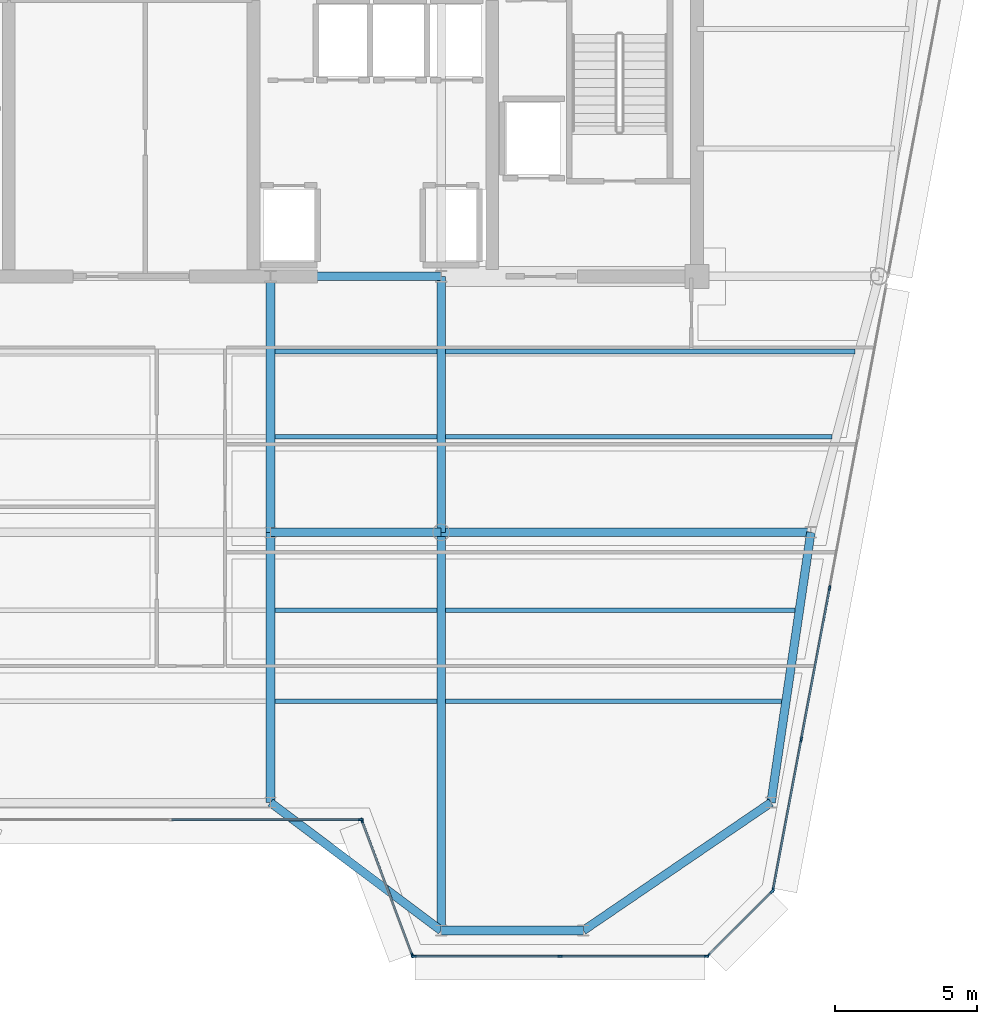
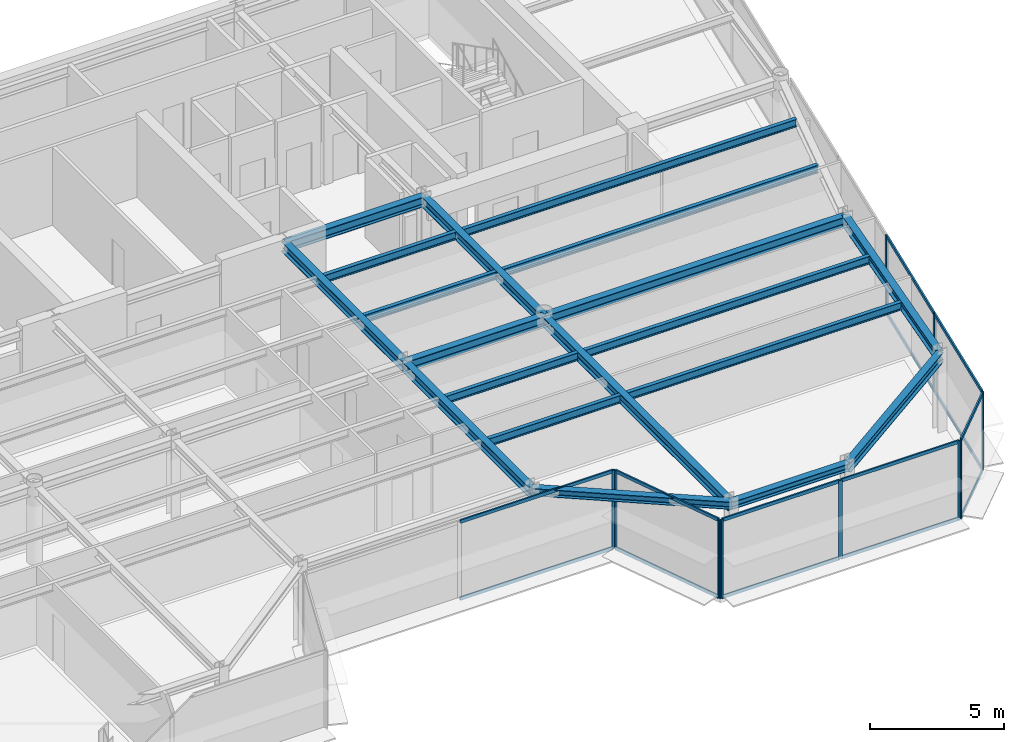
# One storey, part 6 of 20: 25 members, 19 beams, 5 elements without a shape of their own.
"""IFC4 building model written with IfcOpenShell, lengths in metres."""

from ifc_helpers import new_model, si_unit, direction, frame, origin, origin_2d, place, context, subcontext, project, spatial, rectangle, i_section, extrude, source, transform, mapped, material, layer, layer_set, material_profile, profile_set, type_object, element, aggregate, save


model = new_model("IFC4")

# Units and contexts
model_context = context("Model", 3, precision=1e-05, world=origin(), true_north=direction((0.0, 1.0)))
body_context = subcontext(model_context, "Body", "Model", "MODEL_VIEW")
ifc_project = project(units=[si_unit("LENGTHUNIT", "METRE"), si_unit("AREAUNIT", "SQUARE_METRE"), si_unit("VOLUMEUNIT", "CUBIC_METRE"), si_unit("PLANEANGLEUNIT", "RADIAN"), si_unit("MASSUNIT", "GRAM", prefix="KILO")], contexts=[model_context])

# Site, building, storey
site_placement = place(None, origin())
site = spatial("IfcSite", under=ifc_project, at=site_placement, CompositionType="ELEMENT")
building_placement = place(site_placement, origin())
building = spatial("IfcBuilding", under=site, at=building_placement, Name="Vaeldorn Concourse Tower", CompositionType="ELEMENT")
storey_placement = place(building_placement, frame((0.0, 0.0, 295.39990234375)))
storey = spatial("IfcBuildingStorey", under=building, at=storey_placement, Name="L76", CompositionType="ELEMENT", Elevation=295.39990234375)

# Beams
ifc_material_1 = material(Name="Steel S355", Category="steel")
ifc_material_profile_1 = material_profile(ifc_material_1, i_section(OverallWidth=0.300048828125, OverallDepth=0.449951171875, WebThickness=0.013916015625, FlangeThickness=0.02587890625, FilletRadius=0.027099609375, at=origin_2d()), Name="HEB 450")
ifc_profile_set_1 = profile_set([ifc_material_profile_1], Name="Steel S355")
beam_type_1 = type_object("IfcBeamType", Name="BM-PG-HEB450", PredefinedType="BEAM", material=ifc_profile_set_1)
shared_shape_1 = source(origin(), body_context, "Body", "SweptSolid", [
    extrude(i_section(OverallWidth=0.300048828125, OverallDepth=0.449951171875, WebThickness=0.013916015625, FlangeThickness=0.02587890625, FilletRadius=0.027099609375, at=origin_2d()), origin(), (0.0, 0.0, 1.0), 6.0),
])
for number, where, z_axis, x_axis, name in (
    (1, (39.0, 36.5, 3.35498046875), (1.0, 0.0, 0.0), (0.0, 1.0, 0.0), "Beam BM-L76-C-FC4-C-FC5"),
    (2, (39.0, 27.5, 3.35498046875), (1.0, 0.0, 0.0), (0.0, 1.0, 0.0), "Beam BM-L76-C-TW3-C-TW4"),
):
    element("IfcBeam", number, at=place(storey_placement, frame(where, z_axis=z_axis, x_axis=x_axis)), inside=storey, type_object=beam_type_1, Name=name, PredefinedType="BEAM", context=body_context, shape_type="MappedRepresentation", body=[
        mapped(shared_shape_1, transform((0.0, 0.0, 0.0), scale=1.0)),
    ])
ifc_material_profile_2 = material_profile(ifc_material_1, i_section(OverallWidth=0.169921875, OverallDepth=0.360107421875, WebThickness=0.008056640625, FlangeThickness=0.0126953125, FilletRadius=0.01806640625, at=origin_2d()), Name="IPE 360")
ifc_profile_set_2 = profile_set([ifc_material_profile_2], Name="Steel S355")
beam_type_2 = type_object("IfcBeamType", Name="BM-JS-IPE360", PredefinedType="JOIST", material=ifc_profile_set_2)
shared_shape_2 = source(origin(), body_context, "Body", "SweptSolid", [
    extrude(i_section(OverallWidth=0.169921875, OverallDepth=0.360107421875, WebThickness=0.008056640625, FlangeThickness=0.0126953125, FilletRadius=0.01806640625, at=origin_2d()), origin(), (0.0, 0.0, 1.0), 5.7001953125),
])
for number, where, z_axis, x_axis, name in (
    (3, (39.14990234375, 21.56005859375, 3.400146484375), (1.0, 0.0, 0.0), (0.0, 1.0, 0.0), "Beam JS-L76-E2-215"),
    (4, (39.14990234375, 24.760009765625, 3.400146484375), (1.0, 0.0, 0.0), (0.0, 1.0, 0.0), "Beam JS-L76-E2-247"),
    (5, (39.14990234375, 30.860107421875, 3.400146484375), (1.0, 0.0, 0.0), (0.0, 1.0, 0.0), "Beam JS-L76-E2-308"),
    (6, (39.14990234375, 33.860107421875, 3.400146484375), (1.0, 0.0, 0.0), (0.0, 1.0, 0.0), "Beam JS-L76-E2-338"),
):
    element("IfcBeam", number, at=place(storey_placement, frame(where, z_axis=z_axis, x_axis=x_axis)), inside=storey, type_object=beam_type_2, Name=name, PredefinedType="JOIST", context=body_context, shape_type="MappedRepresentation", body=[
        mapped(shared_shape_2, transform((0.0, 0.0, 0.0), scale=1.0)),
    ])
ifc_material_profile_3 = material_profile(ifc_material_1, i_section(OverallWidth=0.300048828125, OverallDepth=0.340087890625, WebThickness=0.011962890625, FlangeThickness=0.021484375, FilletRadius=0.027099609375, at=origin_2d()), Name="HEB 340")
ifc_profile_set_3 = profile_set([ifc_material_profile_3], Name="Steel S355")
beam_type_3 = type_object("IfcBeamType", Name="BM-SP-HEB340", PredefinedType="SPANDREL", material=ifc_profile_set_3)
shared_shape_3 = source(origin(), body_context, "Body", "SweptSolid", [
    extrude(i_section(OverallWidth=0.300048828125, OverallDepth=0.340087890625, WebThickness=0.011962890625, FlangeThickness=0.021484375, FilletRadius=0.027099609375, at=origin_2d()), origin(), (0.0, 0.0, 1.0), 5.0),
])
beam_1_placement = place(storey_placement, frame((45.0, 13.5, 3.41015625), z_axis=(1.0, 0.0, 0.0), x_axis=(0.0, 1.0, 0.0)))
element("IfcBeam", 7, at=beam_1_placement, inside=storey, type_object=beam_type_3, Name="Beam BM-L76-C-SF5-C-SF6", PredefinedType="SPANDREL", context=body_context, shape_type="MappedRepresentation", body=[
    mapped(shared_shape_3, transform((0.0, 0.0, 0.0), scale=1.0)),
])
shared_shape_4 = source(origin(), body_context, "Body", "SweptSolid", [
    extrude(i_section(OverallWidth=0.300048828125, OverallDepth=0.340087890625, WebThickness=0.011962890625, FlangeThickness=0.021484375, FilletRadius=0.027099609375, at=origin_2d()), origin(), (0.0, 0.0, 1.0), 7.5),
])
beam_2_placement = place(storey_placement, frame((39.0, 18.0, 3.41015625), z_axis=(0.8, -0.6, 0.0), x_axis=(0.6, 0.8, 0.0)))
element("IfcBeam", 8, at=beam_2_placement, inside=storey, type_object=beam_type_3, Name="Beam BM-L76-C-SF4-C-SF5", PredefinedType="SPANDREL", context=body_context, shape_type="MappedRepresentation", body=[
    mapped(shared_shape_4, transform((0.0, 0.0, 0.0), scale=1.0)),
])
shared_shape_5 = source(origin(), body_context, "Body", "SweptSolid", [
    extrude(i_section(OverallWidth=0.169921875, OverallDepth=0.360107421875, WebThickness=0.008056640625, FlangeThickness=0.0126953125, FilletRadius=0.01806640625, at=origin_2d()), origin(), (0.0, 0.0, 1.0), 11.82470703125),
])
beam_3_placement = place(storey_placement, frame((45.14990234375, 21.56005859375, 3.400146484375), z_axis=(1.0, 0.0, 0.0), x_axis=(0.0, 1.0, 0.0)))
element("IfcBeam", 9, at=beam_3_placement, inside=storey, type_object=beam_type_2, Name="Beam JS-L76-E1-215", PredefinedType="JOIST", context=body_context, shape_type="MappedRepresentation", body=[
    mapped(shared_shape_5, transform((0.0, 0.0, 0.0), scale=1.0)),
])
shared_shape_6 = source(origin(), body_context, "Body", "SweptSolid", [
    extrude(i_section(OverallWidth=0.169921875, OverallDepth=0.360107421875, WebThickness=0.008056640625, FlangeThickness=0.0126953125, FilletRadius=0.01806640625, at=origin_2d()), origin(), (0.0, 0.0, 1.0), 12.29638671875),
])
beam_4_placement = place(storey_placement, frame((45.14990234375, 24.760009765625, 3.400146484375), z_axis=(1.0, 0.0, 0.0), x_axis=(0.0, 1.0, 0.0)))
element("IfcBeam", 10, at=beam_4_placement, inside=storey, type_object=beam_type_2, Name="Beam JS-L76-E1-247", PredefinedType="JOIST", context=body_context, shape_type="MappedRepresentation", body=[
    mapped(shared_shape_6, transform((0.0, 0.0, 0.0), scale=1.0)),
])
shared_shape_7 = source(origin(), body_context, "Body", "SweptSolid", [
    extrude(i_section(OverallWidth=0.169921875, OverallDepth=0.360107421875, WebThickness=0.008056640625, FlangeThickness=0.0126953125, FilletRadius=0.01806640625, at=origin_2d()), origin(), (0.0, 0.0, 1.0), 13.59619140625),
])
beam_5_placement = place(storey_placement, frame((45.14990234375, 30.860107421875, 3.400146484375), z_axis=(1.0, 0.0, 0.0), x_axis=(0.0, 1.0, 0.0)))
element("IfcBeam", 11, at=beam_5_placement, inside=storey, type_object=beam_type_2, Name="Beam JS-L76-E1-308", PredefinedType="JOIST", context=body_context, shape_type="MappedRepresentation", body=[
    mapped(shared_shape_7, transform((0.0, 0.0, 0.0), scale=1.0)),
])
shared_shape_8 = source(origin(), body_context, "Body", "SweptSolid", [
    extrude(i_section(OverallWidth=0.169921875, OverallDepth=0.360107421875, WebThickness=0.008056640625, FlangeThickness=0.0126953125, FilletRadius=0.01806640625, at=origin_2d()), origin(), (0.0, 0.0, 1.0), 14.39599609375),
])
beam_6_placement = place(storey_placement, frame((45.14990234375, 33.860107421875, 3.400146484375), z_axis=(1.0, 0.0, 0.0), x_axis=(0.0, 1.0, 0.0)))
element("IfcBeam", 12, at=beam_6_placement, inside=storey, type_object=beam_type_2, Name="Beam JS-L76-E1-338", PredefinedType="JOIST", context=body_context, shape_type="MappedRepresentation", body=[
    mapped(shared_shape_8, transform((0.0, 0.0, 0.0), scale=1.0)),
])
shared_shape_9 = source(origin(), body_context, "Body", "SweptSolid", [
    extrude(i_section(OverallWidth=0.300048828125, OverallDepth=0.449951171875, WebThickness=0.013916015625, FlangeThickness=0.02587890625, FilletRadius=0.027099609375, at=origin_2d()), origin(), (0.0, 0.0, 1.0), 9.0),
])
for number, where, z_axis, x_axis, name in (
    (13, (39.0, 27.5, 3.35498046875), (0.0, 1.0, 0.0), (-1.0, 0.0, 0.0), "Beam BM-L76-C-TW3-C-FC4"),
    (14, (45.0, 27.5, 3.35498046875), (0.0, 1.0, 0.0), (-1.0, 0.0, 0.0), "Beam BM-L76-C-TW4-C-FC5"),
):
    element("IfcBeam", number, at=place(storey_placement, frame(where, z_axis=z_axis, x_axis=x_axis)), inside=storey, type_object=beam_type_1, Name=name, PredefinedType="BEAM", context=body_context, shape_type="MappedRepresentation", body=[
        mapped(shared_shape_9, transform((0.0, 0.0, 0.0), scale=1.0)),
    ])
shared_shape_10 = source(origin(), body_context, "Body", "SweptSolid", [
    extrude(i_section(OverallWidth=0.300048828125, OverallDepth=0.449951171875, WebThickness=0.013916015625, FlangeThickness=0.02587890625, FilletRadius=0.027099609375, at=origin_2d()), origin(), (0.0, 0.0, 1.0), 14.0),
])
beam_7_placement = place(storey_placement, frame((45.0, 13.5, 3.35498046875), z_axis=(0.0, 1.0, 0.0), x_axis=(-1.0, 0.0, 0.0)))
element("IfcBeam", 15, at=beam_7_placement, inside=storey, type_object=beam_type_1, Name="Beam BM-L76-C-SF5-C-TW4", PredefinedType="BEAM", context=body_context, shape_type="MappedRepresentation", body=[
    mapped(shared_shape_10, transform((0.0, 0.0, 0.0), scale=1.0)),
])
shared_shape_11 = source(origin(), body_context, "Body", "SweptSolid", [
    extrude(i_section(OverallWidth=0.300048828125, OverallDepth=0.449951171875, WebThickness=0.013916015625, FlangeThickness=0.02587890625, FilletRadius=0.027099609375, at=origin_2d()), origin(), (0.0, 0.0, 1.0), 13.0),
])
beam_8_placement = place(storey_placement, frame((45.0, 27.5, 3.35498046875), z_axis=(1.0, 0.0, 0.0), x_axis=(0.0, 1.0, 0.0)))
element("IfcBeam", 16, at=beam_8_placement, inside=storey, type_object=beam_type_1, Name="Beam BM-L76-C-TW4-C-FLE1", PredefinedType="BEAM", context=body_context, shape_type="MappedRepresentation", body=[
    mapped(shared_shape_11, transform((0.0, 0.0, 0.0), scale=1.0)),
])
shared_shape_12 = source(origin(), body_context, "Body", "SweptSolid", [
    extrude(i_section(OverallWidth=0.300048828125, OverallDepth=0.449951171875, WebThickness=0.013916015625, FlangeThickness=0.02587890625, FilletRadius=0.027099609375, at=origin_2d()), origin(), (0.0, 0.0, 1.0), 9.6025390625),
])
beam_9_placement = place(storey_placement, frame((58.0, 27.5, 3.35498046875), z_axis=(-0.145783835977, -0.989316467652, 0.0), x_axis=(0.989316467652, -0.145783835977, 0.0)))
element("IfcBeam", 17, at=beam_9_placement, inside=storey, type_object=beam_type_1, Name="Beam BM-L76-C-FLE1-C-FLE2", PredefinedType="BEAM", context=body_context, shape_type="MappedRepresentation", body=[
    mapped(shared_shape_12, transform((0.0, 0.0, 0.0), scale=1.0)),
])
shared_shape_13 = source(origin(), body_context, "Body", "SweptSolid", [
    extrude(i_section(OverallWidth=0.300048828125, OverallDepth=0.449951171875, WebThickness=0.013916015625, FlangeThickness=0.02587890625, FilletRadius=0.027099609375, at=origin_2d()), origin(), (0.0, 0.0, 1.0), 7.98828125),
])
beam_10_placement = place(storey_placement, frame((50.0, 13.5, 3.35498046875), z_axis=(0.826231222393, 0.56333113454, 0.0), x_axis=(-0.56333113454, 0.826231222393, 0.0)))
element("IfcBeam", 18, at=beam_10_placement, inside=storey, type_object=beam_type_1, Name="Beam BM-L76-C-SF6-C-FLE2", PredefinedType="BEAM", context=body_context, shape_type="MappedRepresentation", body=[
    mapped(shared_shape_13, transform((0.0, 0.0, 0.0), scale=1.0)),
])
shared_shape_14 = source(origin(), body_context, "Body", "SweptSolid", [
    extrude(i_section(OverallWidth=0.300048828125, OverallDepth=0.449951171875, WebThickness=0.013916015625, FlangeThickness=0.02587890625, FilletRadius=0.027099609375, at=origin_2d()), origin(), (0.0, 0.0, 1.0), 9.5),
])
beam_11_placement = place(storey_placement, frame((39.0, 18.0, 3.35498046875), z_axis=(0.0, 1.0, 0.0), x_axis=(-1.0, 0.0, 0.0)))
element("IfcBeam", 19, at=beam_11_placement, inside=storey, type_object=beam_type_1, Name="Beam BM-L76-C-SF4-C-TW3", PredefinedType="BEAM", context=body_context, shape_type="MappedRepresentation", body=[
    mapped(shared_shape_14, transform((0.0, 0.0, 0.0), scale=1.0)),
])

# Curtain wall, members
ifc_material_2 = material(Name="Anodised Bronze Aluminium", Category="aluminium")
ifc_layer = layer(ifc_material_2, 0.179931640625)
ifc_layer_set = layer_set([ifc_layer], Name="Anodised Bronze Aluminium")
curtain_wall_type = type_object("IfcCurtainWallType", Name="CW-SYS-05", PredefinedType="NOTDEFINED", material=ifc_layer_set)
curtain_wall_1_placement = place(storey_placement, origin())
curtain_wall_1 = element("IfcCurtainWall", 20, at=curtain_wall_1_placement, inside=storey, type_object=curtain_wall_type, Name="Unitised Curtain Wall CW-L76-E04-1", PredefinedType="NOTDEFINED")
ifc_material_profile_4 = material_profile(ifc_material_2, rectangle(XDim=0.06494140625, YDim=0.14990234375, at=origin_2d()), Name="CWT 65x150")
ifc_profile_set_4 = profile_set([ifc_material_profile_4], Name="Anodised Bronze Aluminium")
member_type_1 = type_object("IfcMemberType", Name="CWT-BRONZE-150", PredefinedType="USERDEFINED", material=ifc_profile_set_4)
shared_shape_15 = source(origin(), body_context, "Body", "SweptSolid", [
    extrude(rectangle(XDim=0.06494140625, YDim=0.14990234375, at=origin_2d()), origin(), (0.0, 0.0, 1.0), 4.996337890625),
])
member_1_placement = place(storey_placement, frame((42.222900390625, 17.339111328125, 0.03271484375), z_axis=(0.351134151405, -0.936325161318, 0.0), x_axis=(0.936325161318, 0.351134151405, 0.0)))
member_1 = element("IfcMember", 21, at=member_1_placement, type_object=member_type_1, Name="CW-05 transom 1.1", ObjectType="TRANSOM", PredefinedType="USERDEFINED", context=body_context, shape_type="MappedRepresentation", body=[
    mapped(shared_shape_15, transform((0.0, 0.0, 0.0), scale=1.0)),
])
member_2_placement = place(storey_placement, frame((42.222900390625, 17.339111328125, 3.547607421875), z_axis=(0.351134151405, -0.936325161318, 0.0), x_axis=(0.936325161318, 0.351134151405, 0.0)))
member_2 = element("IfcMember", 22, at=member_2_placement, type_object=member_type_1, Name="CW-05 transom 1.2", ObjectType="TRANSOM", PredefinedType="USERDEFINED", context=body_context, shape_type="MappedRepresentation", body=[
    mapped(shared_shape_15, transform((0.0, 0.0, 0.0), scale=1.0)),
])

curtain_wall_2_placement = place(storey_placement, origin())
curtain_wall_2 = element("IfcCurtainWall", 23, at=curtain_wall_2_placement, inside=storey, type_object=curtain_wall_type, Name="Unitised Curtain Wall CW-L76-E03-1", PredefinedType="NOTDEFINED")
shared_shape_16 = source(origin(), body_context, "Body", "SweptSolid", [
    extrude(rectangle(XDim=0.06494140625, YDim=0.14990234375, at=origin_2d()), origin(), (0.0, 0.0, 1.0), 6.6025390625),
])
member_3_placement = place(storey_placement, frame((35.532470703125, 17.39990234375, 0.03271484375), z_axis=(1.0, 0.0, 0.0), x_axis=(0.0, 1.0, 0.0)))
member_3 = element("IfcMember", 24, at=member_3_placement, type_object=member_type_1, Name="CW-05 transom 2.1", ObjectType="TRANSOM", PredefinedType="USERDEFINED", context=body_context, shape_type="MappedRepresentation", body=[
    mapped(shared_shape_16, transform((0.0, 0.0, 0.0), scale=1.0)),
])
member_4_placement = place(storey_placement, frame((35.532470703125, 17.39990234375, 3.547607421875), z_axis=(1.0, 0.0, 0.0), x_axis=(0.0, 1.0, 0.0)))
member_4 = element("IfcMember", 25, at=member_4_placement, type_object=member_type_1, Name="CW-05 transom 2.2", ObjectType="TRANSOM", PredefinedType="USERDEFINED", context=body_context, shape_type="MappedRepresentation", body=[
    mapped(shared_shape_16, transform((0.0, 0.0, 0.0), scale=1.0)),
])

curtain_wall_3_placement = place(storey_placement, origin())
curtain_wall_3 = element("IfcCurtainWall", 26, at=curtain_wall_3_placement, inside=storey, type_object=curtain_wall_type, Name="Unitised Curtain Wall CW-L76-E06-1", PredefinedType="NOTDEFINED")
shared_shape_17 = source(origin(), body_context, "Body", "SweptSolid", [
    extrude(rectangle(XDim=0.06494140625, YDim=0.14990234375, at=origin_2d()), origin(), (0.0, 0.0, 1.0), 3.12255859375),
])
member_5_placement = place(storey_placement, frame((54.409912109375, 12.64599609375, 0.03271484375), z_axis=(0.707106781187, 0.707106781187, 0.0), x_axis=(-0.707106781187, 0.707106781187, 0.0)))
member_5 = element("IfcMember", 27, at=member_5_placement, type_object=member_type_1, Name="CW-05 transom 1.1", ObjectType="TRANSOM", PredefinedType="USERDEFINED", context=body_context, shape_type="MappedRepresentation", body=[
    mapped(shared_shape_17, transform((0.0, 0.0, 0.0), scale=1.0)),
])
member_6_placement = place(storey_placement, frame((54.409912109375, 12.64599609375, 3.547607421875), z_axis=(0.707106781187, 0.707106781187, 0.0), x_axis=(-0.707106781187, 0.707106781187, 0.0)))
member_6 = element("IfcMember", 28, at=member_6_placement, type_object=member_type_1, Name="CW-05 transom 1.2", ObjectType="TRANSOM", PredefinedType="USERDEFINED", context=body_context, shape_type="MappedRepresentation", body=[
    mapped(shared_shape_17, transform((0.0, 0.0, 0.0), scale=1.0)),
])

# Member
ifc_material_profile_5 = material_profile(ifc_material_2, rectangle(XDim=0.06494140625, YDim=0.169921875, at=origin_2d()), Name="CWM 65x170")
ifc_profile_set_5 = profile_set([ifc_material_profile_5], Name="Anodised Bronze Aluminium")
member_type_2 = type_object("IfcMemberType", Name="CWM-BRONZE-170", PredefinedType="MULLION", material=ifc_profile_set_5)
shared_shape_18 = source(origin(), body_context, "Body", "SweptSolid", [
    extrude(rectangle(XDim=0.06494140625, YDim=0.169921875, at=origin_2d()), origin(), (0.0, 0.0, 1.0), 3.580078125),
])
member_7_placement = place(storey_placement, frame((42.16748046875, 17.39990234375, 0.0), z_axis=(0.0, 0.0, 1.0), x_axis=(0.0, 1.0, 0.0)))
member_7 = element("IfcMember", 29, at=member_7_placement, type_object=member_type_2, Name="CW-05 mullion 3", PredefinedType="MULLION", context=body_context, shape_type="MappedRepresentation", body=[
    mapped(shared_shape_18, transform((0.0, 0.0, 0.0), scale=1.0)),
])

aggregate(curtain_wall_2, [member_7, member_3, member_4])

member_8_placement = place(storey_placement, frame((42.21142578125, 17.36962890625, 0.0), z_axis=(0.0, 0.0, 1.0), x_axis=(0.936329177566, 0.351123441595, 0.0)))
member_8 = element("IfcMember", 30, at=member_8_placement, type_object=member_type_2, Name="CW-05 mullion 1", PredefinedType="MULLION", context=body_context, shape_type="MappedRepresentation", body=[
    mapped(shared_shape_18, transform((0.0, 0.0, 0.0), scale=1.0)),
])

member_9_placement = place(storey_placement, frame((43.988525390625, 12.63037109375, 0.0), z_axis=(0.0, 0.0, 1.0), x_axis=(0.936329177566, 0.351123441595, 0.0)))
member_9 = element("IfcMember", 31, at=member_9_placement, type_object=member_type_2, Name="CW-05 mullion 2", PredefinedType="MULLION", context=body_context, shape_type="MappedRepresentation", body=[
    mapped(shared_shape_18, transform((0.0, 0.0, 0.0), scale=1.0)),
])

aggregate(curtain_wall_1, [member_8, member_9, member_1, member_2])

# Curtain wall, members
curtain_wall_4_placement = place(storey_placement, origin())
curtain_wall_4 = element("IfcCurtainWall", 32, at=curtain_wall_4_placement, inside=storey, type_object=curtain_wall_type, Name="Unitised Curtain Wall CW-L76-E05-1", PredefinedType="NOTDEFINED")
member_10_placement = place(storey_placement, frame((44.032470703125, 12.60009765625, 0.0), z_axis=(0.0, 0.0, 1.0), x_axis=(0.0, 1.0, 0.0)))
member_10 = element("IfcMember", 33, at=member_10_placement, type_object=member_type_2, Name="CW-05 mullion 1", PredefinedType="MULLION", context=body_context, shape_type="MappedRepresentation", body=[
    mapped(shared_shape_18, transform((0.0, 0.0, 0.0), scale=1.0)),
])
member_11_placement = place(storey_placement, frame((49.181884765625, 12.60009765625, 0.0), z_axis=(0.0, 0.0, 1.0), x_axis=(0.0, 1.0, 0.0)))
member_11 = element("IfcMember", 34, at=member_11_placement, type_object=member_type_2, Name="CW-05 mullion 2", PredefinedType="MULLION", context=body_context, shape_type="MappedRepresentation", body=[
    mapped(shared_shape_18, transform((0.0, 0.0, 0.0), scale=1.0)),
])
member_12_placement = place(storey_placement, frame((54.33154296875, 12.60009765625, 0.0), z_axis=(0.0, 0.0, 1.0), x_axis=(0.0, 1.0, 0.0)))
member_12 = element("IfcMember", 35, at=member_12_placement, type_object=member_type_2, Name="CW-05 mullion 3", PredefinedType="MULLION", context=body_context, shape_type="MappedRepresentation", body=[
    mapped(shared_shape_18, transform((0.0, 0.0, 0.0), scale=1.0)),
])

# Member
member_13_placement = place(storey_placement, frame((54.386962890625, 12.623046875, 0.0), z_axis=(0.0, 0.0, 1.0), x_axis=(-0.707106781187, 0.707106781187, 0.0)))
member_13 = element("IfcMember", 36, at=member_13_placement, type_object=member_type_2, Name="CW-05 mullion 1", PredefinedType="MULLION", context=body_context, shape_type="MappedRepresentation", body=[
    mapped(shared_shape_18, transform((0.0, 0.0, 0.0), scale=1.0)),
])

member_14_placement = place(storey_placement, frame((56.64111328125, 14.876953125, 0.0), z_axis=(0.0, 0.0, 1.0), x_axis=(-0.707106781187, 0.707106781187, 0.0)))
member_14 = element("IfcMember", 37, at=member_14_placement, type_object=member_type_2, Name="CW-05 mullion 2", PredefinedType="MULLION", context=body_context, shape_type="MappedRepresentation", body=[
    mapped(shared_shape_18, transform((0.0, 0.0, 0.0), scale=1.0)),
])

aggregate(curtain_wall_3, [member_13, member_14, member_5, member_6])

# Curtain wall, members
curtain_wall_5_placement = place(storey_placement, origin())
curtain_wall_5 = element("IfcCurtainWall", 38, at=curtain_wall_5_placement, inside=storey, type_object=curtain_wall_type, Name="Unitised Curtain Wall CW-L76-E07-1", PredefinedType="NOTDEFINED")
member_15_placement = place(storey_placement, frame((56.669921875, 14.931884765625, 0.0), z_axis=(0.0, 0.0, 1.0), x_axis=(-0.982880027444, 0.184246714088, 0.0)))
member_15 = element("IfcMember", 39, at=member_15_placement, type_object=member_type_2, Name="CW-05 mullion 1", PredefinedType="MULLION", context=body_context, shape_type="MappedRepresentation", body=[
    mapped(shared_shape_18, transform((0.0, 0.0, 0.0), scale=1.0)),
])
member_16_placement = place(storey_placement, frame((57.66162109375, 20.22119140625, 0.0), z_axis=(0.0, 0.0, 1.0), x_axis=(-0.982880027444, 0.184246714088, 0.0)))
member_16 = element("IfcMember", 40, at=member_16_placement, type_object=member_type_2, Name="CW-05 mullion 2", PredefinedType="MULLION", context=body_context, shape_type="MappedRepresentation", body=[
    mapped(shared_shape_18, transform((0.0, 0.0, 0.0), scale=1.0)),
])
member_17_placement = place(storey_placement, frame((58.658935546875, 25.54248046875, 0.0), z_axis=(0.0, 0.0, 1.0), x_axis=(-0.982880027444, 0.184246714088, 0.0)))
member_17 = element("IfcMember", 41, at=member_17_placement, type_object=member_type_2, Name="CW-05 mullion 3", PredefinedType="MULLION", context=body_context, shape_type="MappedRepresentation", body=[
    mapped(shared_shape_18, transform((0.0, 0.0, 0.0), scale=1.0)),
])
shared_shape_19 = source(origin(), body_context, "Body", "SweptSolid", [
    extrude(rectangle(XDim=0.06494140625, YDim=0.14990234375, at=origin_2d()), origin(), (0.0, 0.0, 1.0), 5.31640625),
])
member_18_placement = place(storey_placement, frame((56.676025390625, 14.9638671875, 0.03271484375), z_axis=(0.184241399207, 0.982881023735, 0.0), x_axis=(-0.982881023735, 0.184241399207, 0.0)))
member_18 = element("IfcMember", 42, at=member_18_placement, type_object=member_type_1, Name="CW-05 transom 1.1", ObjectType="TRANSOM", PredefinedType="USERDEFINED", context=body_context, shape_type="MappedRepresentation", body=[
    mapped(shared_shape_19, transform((0.0, 0.0, 0.0), scale=1.0)),
])
member_19_placement = place(storey_placement, frame((56.676025390625, 14.9638671875, 3.547607421875), z_axis=(0.184241399207, 0.982881023735, 0.0), x_axis=(-0.982881023735, 0.184241399207, 0.0)))
member_19 = element("IfcMember", 43, at=member_19_placement, type_object=member_type_1, Name="CW-05 transom 1.2", ObjectType="TRANSOM", PredefinedType="USERDEFINED", context=body_context, shape_type="MappedRepresentation", body=[
    mapped(shared_shape_19, transform((0.0, 0.0, 0.0), scale=1.0)),
])
shared_shape_20 = source(origin(), body_context, "Body", "SweptSolid", [
    extrude(rectangle(XDim=0.06494140625, YDim=0.14990234375, at=origin_2d()), origin(), (0.0, 0.0, 1.0), 5.348876953125),
])
member_20_placement = place(storey_placement, frame((57.66748046875, 20.253173828125, 0.03271484375), z_axis=(0.184260976912, 0.982877353685, 0.0), x_axis=(-0.982877353685, 0.184260976912, 0.0)))
member_20 = element("IfcMember", 44, at=member_20_placement, type_object=member_type_1, Name="CW-05 transom 2.1", ObjectType="TRANSOM", PredefinedType="USERDEFINED", context=body_context, shape_type="MappedRepresentation", body=[
    mapped(shared_shape_20, transform((0.0, 0.0, 0.0), scale=1.0)),
])
member_21_placement = place(storey_placement, frame((57.66748046875, 20.253173828125, 3.547607421875), z_axis=(0.184260976912, 0.982877353685, 0.0), x_axis=(-0.982877353685, 0.184260976912, 0.0)))
member_21 = element("IfcMember", 45, at=member_21_placement, type_object=member_type_1, Name="CW-05 transom 2.2", ObjectType="TRANSOM", PredefinedType="USERDEFINED", context=body_context, shape_type="MappedRepresentation", body=[
    mapped(shared_shape_20, transform((0.0, 0.0, 0.0), scale=1.0)),
])
aggregate(curtain_wall_5, [member_15, member_16, member_17, member_18, member_19, member_20, member_21])

# Member
shared_shape_21 = source(origin(), body_context, "Body", "SweptSolid", [
    extrude(rectangle(XDim=0.06494140625, YDim=0.14990234375, at=origin_2d()), origin(), (0.0, 0.0, 1.0), 5.08447265625),
])
member_22_placement = place(storey_placement, frame((44.06494140625, 12.60009765625, 0.03271484375), z_axis=(1.0, 0.0, 0.0), x_axis=(0.0, 1.0, 0.0)))
member_22 = element("IfcMember", 46, at=member_22_placement, type_object=member_type_1, Name="CW-05 transom 1.1", ObjectType="TRANSOM", PredefinedType="USERDEFINED", context=body_context, shape_type="MappedRepresentation", body=[
    mapped(shared_shape_21, transform((0.0, 0.0, 0.0), scale=1.0)),
])

member_23_placement = place(storey_placement, frame((44.06494140625, 12.60009765625, 3.547607421875), z_axis=(1.0, 0.0, 0.0), x_axis=(0.0, 1.0, 0.0)))
member_23 = element("IfcMember", 47, at=member_23_placement, type_object=member_type_1, Name="CW-05 transom 1.2", ObjectType="TRANSOM", PredefinedType="USERDEFINED", context=body_context, shape_type="MappedRepresentation", body=[
    mapped(shared_shape_21, transform((0.0, 0.0, 0.0), scale=1.0)),
])

member_24_placement = place(storey_placement, frame((49.214599609375, 12.60009765625, 0.03271484375), z_axis=(1.0, 0.0, 0.0), x_axis=(0.0, 1.0, 0.0)))
member_24 = element("IfcMember", 48, at=member_24_placement, type_object=member_type_1, Name="CW-05 transom 2.1", ObjectType="TRANSOM", PredefinedType="USERDEFINED", context=body_context, shape_type="MappedRepresentation", body=[
    mapped(shared_shape_21, transform((0.0, 0.0, 0.0), scale=1.0)),
])

member_25_placement = place(storey_placement, frame((49.214599609375, 12.60009765625, 3.547607421875), z_axis=(1.0, 0.0, 0.0), x_axis=(0.0, 1.0, 0.0)))
member_25 = element("IfcMember", 49, at=member_25_placement, type_object=member_type_1, Name="CW-05 transom 2.2", ObjectType="TRANSOM", PredefinedType="USERDEFINED", context=body_context, shape_type="MappedRepresentation", body=[
    mapped(shared_shape_21, transform((0.0, 0.0, 0.0), scale=1.0)),
])

aggregate(curtain_wall_4, [member_10, member_11, member_12, member_22, member_23, member_24, member_25])

save(model, "model.ifc")
